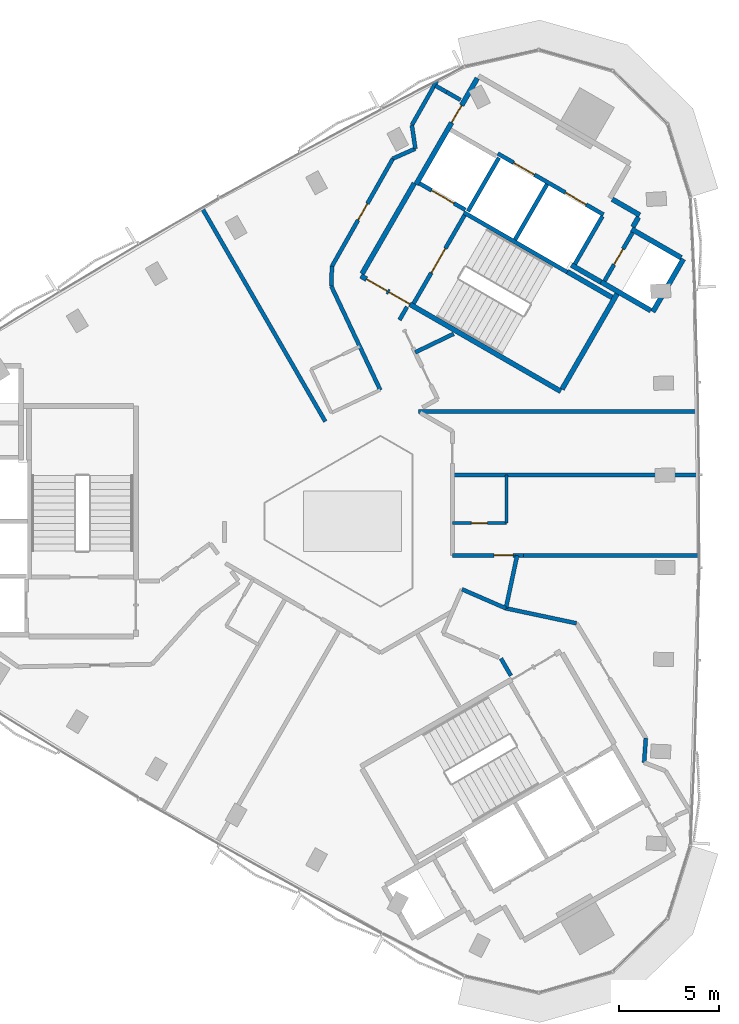
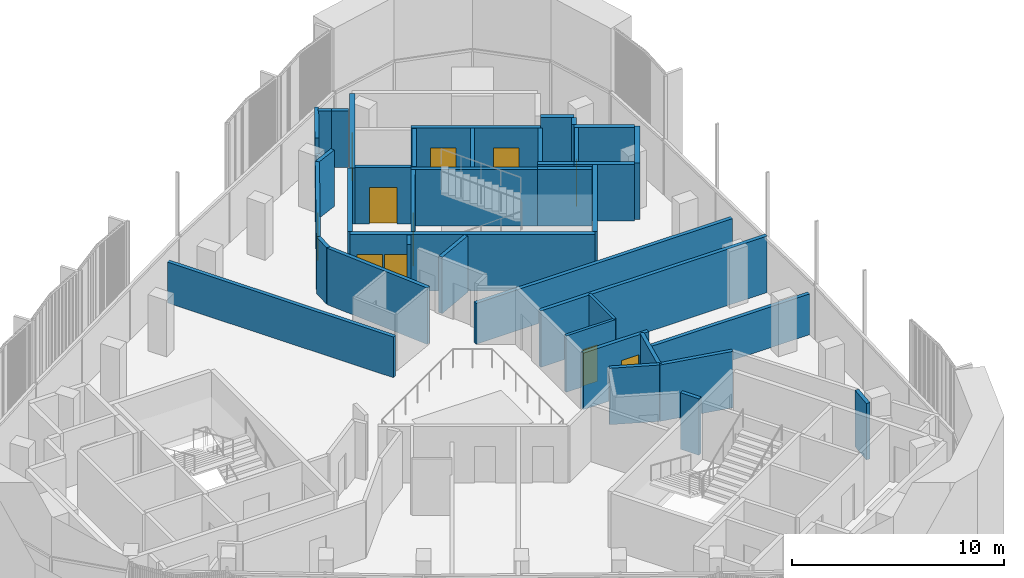
# One storey, part 8 of 12: 41 walls, 11 doors, 11 openings.
"""IFC4 building model written with IfcOpenShell, lengths in metres."""

from ifc_helpers import new_model, si_unit, direction, frame, frame_2d, origin, place, context, subcontext, project, spatial, rectangle, extrude, material, layer, layer_set, type_object, element, fill, save


model = new_model("IFC4")

# Units and contexts
model_context = context("Model", 3, precision=1e-05, world=origin(), true_north=direction((0.0, 1.0)))
body_context = subcontext(model_context, "Body", "Model", "MODEL_VIEW")
ifc_project = project(units=[si_unit("LENGTHUNIT", "METRE"), si_unit("AREAUNIT", "SQUARE_METRE"), si_unit("VOLUMEUNIT", "CUBIC_METRE"), si_unit("PLANEANGLEUNIT", "RADIAN"), si_unit("MASSUNIT", "GRAM", prefix="KILO")], contexts=[model_context])

# Site, building, storey
site_placement = place(None, origin())
site = spatial("IfcSite", under=ifc_project, at=site_placement, CompositionType="ELEMENT")
building_placement = place(site_placement, origin())
building = spatial("IfcBuilding", under=site, at=building_placement, Name="Tamra Quay Hotel Tower", CompositionType="ELEMENT")
storey_placement = place(building_placement, frame((0.0, 0.0, 262.199951171875)))
storey = spatial("IfcBuildingStorey", under=building, at=storey_placement, Name="L66", CompositionType="ELEMENT", Elevation=262.199951171875)

# Wall, openings, doors
ifc_material_1 = material(Name="Concrete M70", Category="concrete")
ifc_layer_1 = layer(ifc_material_1, 0.199951171875)
ifc_layer_set_1 = layer_set([ifc_layer_1], Name="Concrete M70 core wall 200")
wall_type_1 = type_object("IfcWallType", Name="Concrete M70 core wall 200", PredefinedType="SHEAR", material=ifc_layer_set_1)
wall_1_placement = place(storey_placement, frame((12.552490234375, 15.341552734375, 0.0), z_axis=(0.0, 0.0, 1.0), x_axis=(-0.866030299012, 0.499991521122, 0.0)))
wall_1 = element("IfcWall", 1, at=wall_1_placement, inside=storey, type_object=wall_type_1, Name="CW2", PredefinedType="SHEAR", context=body_context, shape_type="SweptSolid", body=[
    extrude(rectangle(XDim=6.10009765625, YDim=0.199951171875, at=frame_2d((3.050048828125, 0.0))), origin(), (0.0, 0.0, 1.0), 3.25),
])
opening_1_placement = place(wall_1_placement, frame((1.0, 0.0, 0.0)))
opening_1 = element("IfcOpeningElement", 2, at=opening_1_placement, cuts=wall_1, Name="Opening LD", PredefinedType="OPENING", context=body_context, shape_type="SweptSolid", body=[
    extrude(rectangle(XDim=1.199951171875, YDim=2.10009765625, at=frame_2d((0.60009765625, 1.050048828125))), frame((0.0, 0.10986328125, 0.0), z_axis=(0.0, -1.0, 0.0), x_axis=(1.0, 0.0, 0.0)), (0.0, 0.0, 1.0), 0.219970703125),
])
opening_2_placement = place(wall_1_placement, frame((3.982177734375, 0.0, 0.0)))
opening_2 = element("IfcOpeningElement", 3, at=opening_2_placement, cuts=wall_1, Name="Opening LD", PredefinedType="OPENING", context=body_context, shape_type="SweptSolid", body=[
    extrude(rectangle(XDim=1.199951171875, YDim=2.10009765625, at=frame_2d((0.60009765625, 1.050048828125))), frame((0.0, 0.10986328125, 0.0), z_axis=(0.0, -1.0, 0.0), x_axis=(1.0, 0.0, 0.0)), (0.0, 0.0, 1.0), 0.219970703125),
])
ifc_material_2 = material(Name="Landing door LD 1200 double door sliding")
door_type_1 = type_object("IfcDoorType", Name="Landing door LD 1200 double door sliding", OperationType="DOUBLE_DOOR_SLIDING", PredefinedType="DOOR", material=ifc_material_2)
door_1_placement = place(opening_1_placement, origin())
door_1 = element("IfcDoor", 4, at=door_1_placement, inside=storey, type_object=door_type_1, Name="LD", OperationType="DOUBLE_DOOR_SLIDING", OverallHeight=2.10009765625, OverallWidth=1.199951171875, PredefinedType="DOOR", context=body_context, shape_type="SweptSolid", body=[
    extrude(rectangle(XDim=1.199951171875, YDim=2.10009765625, at=frame_2d((0.60009765625, 1.050048828125))), frame((0.0, 0.02490234375, 0.0), z_axis=(0.0, -1.0, 0.0), x_axis=(1.0, 0.0, 0.0)), (0.0, 0.0, 1.0), 0.050048828125),
])
fill(opening_1, door_1)
door_2_placement = place(opening_2_placement, origin())
door_2 = element("IfcDoor", 5, at=door_2_placement, inside=storey, type_object=door_type_1, Name="LD", OperationType="DOUBLE_DOOR_SLIDING", OverallHeight=2.10009765625, OverallWidth=1.199951171875, PredefinedType="DOOR", context=body_context, shape_type="SweptSolid", body=[
    extrude(rectangle(XDim=1.199951171875, YDim=2.10009765625, at=frame_2d((0.60009765625, 1.050048828125))), frame((0.0, 0.02490234375, 0.0), z_axis=(0.0, -1.0, 0.0), x_axis=(1.0, 0.0, 0.0)), (0.0, 0.0, 1.0), 0.050048828125),
])
fill(opening_2, door_2)

# Wall
wall_2_placement = place(storey_placement, frame((10.7431640625, 12.4599609375, 0.0), z_axis=(0.0, 0.0, 1.0), x_axis=(-0.866018848283, 0.500011354289, 0.0)))
element("IfcWall", 6, at=wall_2_placement, inside=storey, type_object=wall_type_1, Name="CW2", PredefinedType="SHEAR", context=body_context, shape_type="SweptSolid", body=[
    extrude(rectangle(XDim=5.973876953125, YDim=0.199951171875, at=frame_2d((2.98681640625, 0.0))), origin(), (0.0, 0.0, 1.0), 3.25),
])

# Wall, opening, door
wall_3_placement = place(storey_placement, frame((3.056640625, 10.89453125, 0.0), z_axis=(0.0, 0.0, 1.0), x_axis=(0.500027839223, 0.866009330205, 0.0)))
wall_3 = element("IfcWall", 7, at=wall_3_placement, inside=storey, type_object=wall_type_1, Name="CW2", PredefinedType="SHEAR", context=body_context, shape_type="SweptSolid", body=[
    extrude(rectangle(XDim=5.097900390625, YDim=0.199951171875, at=frame_2d((2.548828125, 0.0))), origin(), (0.0, 0.0, 1.0), 3.25),
])
opening_3_placement = place(wall_3_placement, frame((1.77392578125, 0.0, 0.0)))
opening_3 = element("IfcOpeningElement", 8, at=opening_3_placement, cuts=wall_3, Name="Opening FD2", PredefinedType="OPENING", context=body_context, shape_type="SweptSolid", body=[
    extrude(rectangle(XDim=1.39990234375, YDim=2.10009765625, at=frame_2d((0.699951171875, 1.050048828125))), frame((0.0, 0.10986328125, 0.0), z_axis=(0.0, -1.0, 0.0), x_axis=(1.0, 0.0, 0.0)), (0.0, 0.0, 1.0), 0.219970703125),
])
ifc_material_3 = material(Name="Core door FD2 1400x2100 LH")
door_type_2 = type_object("IfcDoorType", Name="Core door FD2 1400x2100 LH", OperationType="NOTDEFINED", PredefinedType="DOOR", material=ifc_material_3)
door_3_placement = place(opening_3_placement, origin())
door_3 = element("IfcDoor", 9, at=door_3_placement, inside=storey, type_object=door_type_2, Name="FD2", OperationType="SINGLE_SWING_LEFT", OverallHeight=2.10009765625, OverallWidth=1.39990234375, PredefinedType="DOOR", context=body_context, shape_type="SweptSolid", body=[
    extrude(rectangle(XDim=1.39990234375, YDim=2.10009765625, at=frame_2d((0.699951171875, 1.050048828125))), frame((0.0, 0.02490234375, 0.0), z_axis=(0.0, -1.0, 0.0), x_axis=(1.0, 0.0, 0.0)), (0.0, 0.0, 1.0), 0.050048828125),
])
fill(opening_3, door_3)

# Wall
wall_4_placement = place(storey_placement, frame((8.131591796875, 14.08447265625, 0.0), z_axis=(0.0, 0.0, 1.0), x_axis=(0.500030834389, 0.86600760081, 0.0)))
element("IfcWall", 10, at=wall_4_placement, inside=storey, type_object=wall_type_1, Name="CW2", PredefinedType="SHEAR", context=body_context, shape_type="SweptSolid", body=[
    extrude(rectangle(XDim=3.197998046875, YDim=0.199951171875, at=frame_2d((1.59912109375, 0.0))), origin(), (0.0, 0.0, 1.0), 3.25),
])

# Wall, opening, door
wall_5_placement = place(storey_placement, frame((14.0078125, 14.442138671875, 0.0), z_axis=(0.0, 0.0, 1.0), x_axis=(-0.499986818241, -0.866033014143, 0.0)))
wall_5 = element("IfcWall", 11, at=wall_5_placement, inside=storey, type_object=wall_type_1, Name="CW2", PredefinedType="SHEAR", context=body_context, shape_type="SweptSolid", body=[
    extrude(rectangle(XDim=2.7978515625, YDim=0.199951171875, at=frame_2d((1.39892578125, 0.0))), origin(), (0.0, 0.0, 1.0), 3.25),
])
opening_4_placement = place(wall_5_placement, frame((0.948974609375, 0.0, 0.0)))
opening_4 = element("IfcOpeningElement", 12, at=opening_4_placement, cuts=wall_5, Name="Opening D1", PredefinedType="OPENING", context=body_context, shape_type="SweptSolid", body=[
    extrude(rectangle(XDim=0.89990234375, YDim=2.10009765625, at=frame_2d((0.449951171875, 1.050048828125))), frame((0.0, 0.10986328125, 0.0), z_axis=(0.0, -1.0, 0.0), x_axis=(1.0, 0.0, 0.0)), (0.0, 0.0, 1.0), 0.219970703125),
])
ifc_material_4 = material(Name="Core door D1 900x2100 RH")
door_type_3 = type_object("IfcDoorType", Name="Core door D1 900x2100 RH", OperationType="NOTDEFINED", PredefinedType="DOOR", material=ifc_material_4)
door_4_placement = place(opening_4_placement, origin())
door_4 = element("IfcDoor", 13, at=door_4_placement, inside=storey, type_object=door_type_3, Name="D1", OperationType="SINGLE_SWING_RIGHT", OverallHeight=2.10009765625, OverallWidth=0.89990234375, PredefinedType="DOOR", context=body_context, shape_type="SweptSolid", body=[
    extrude(rectangle(XDim=0.89990234375, YDim=2.10009765625, at=frame_2d((0.449951171875, 1.050048828125))), frame((0.0, 0.02490234375, 0.0), z_axis=(0.0, -1.0, 0.0), x_axis=(1.0, 0.0, 0.0)), (0.0, 0.0, 1.0), 0.050048828125),
])
fill(opening_4, door_4)

# Walls
wall_6_placement = place(storey_placement, frame((12.50244140625, 15.2548828125, 0.0), z_axis=(0.0, 0.0, 1.0), x_axis=(-0.499965018551, -0.866045599391, 0.0)))
element("IfcWall", 14, at=wall_6_placement, inside=storey, type_object=wall_type_1, Name="CW2", PredefinedType="SHEAR", context=body_context, shape_type="SweptSolid", body=[
    extrude(rectangle(XDim=2.759033203125, YDim=0.199951171875, at=frame_2d((1.37939453125, 0.0))), origin(), (0.0, 0.0, 1.0), 3.25),
])
wall_7_placement = place(storey_placement, frame((7.324462890625, 18.1865234375, 0.0), z_axis=(0.0, 0.0, 1.0), x_axis=(-0.499967891604, -0.866043940782, 0.0)))
element("IfcWall", 15, at=wall_7_placement, inside=storey, type_object=wall_type_1, Name="CW2", PredefinedType="SHEAR", context=body_context, shape_type="SweptSolid", body=[
    extrude(rectangle(XDim=3.099853515625, YDim=0.199951171875, at=frame_2d((1.5498046875, 0.0))), origin(), (0.0, 0.0, 1.0), 3.25),
])

# Wall, opening, door
wall_8_placement = place(storey_placement, frame((5.646240234375, 15.575927734375, 0.0), z_axis=(0.0, 0.0, 1.0), x_axis=(-0.866018407898, 0.500012117035, 0.0)))
wall_8 = element("IfcWall", 16, at=wall_8_placement, inside=storey, type_object=wall_type_1, Name="CW2", PredefinedType="SHEAR", context=body_context, shape_type="SweptSolid", body=[
    extrude(rectangle(XDim=2.65087890625, YDim=0.199951171875, at=frame_2d((1.325439453125, 0.0))), origin(), (0.0, 0.0, 1.0), 3.25),
])
opening_5_placement = place(wall_8_placement, frame((0.65185546875, 0.0, 0.0)))
opening_5 = element("IfcOpeningElement", 17, at=opening_5_placement, cuts=wall_8, Name="Opening LD", PredefinedType="OPENING", context=body_context, shape_type="SweptSolid", body=[
    extrude(rectangle(XDim=1.300048828125, YDim=2.10009765625, at=frame_2d((0.64990234375, 1.050048828125))), frame((0.0, 0.10986328125, 0.0), z_axis=(0.0, -1.0, 0.0), x_axis=(1.0, 0.0, 0.0)), (0.0, 0.0, 1.0), 0.219970703125),
])
ifc_material_5 = material(Name="Landing door LD 1300 sliding to left")
door_type_4 = type_object("IfcDoorType", Name="Landing door LD 1300 sliding to left", OperationType="NOTDEFINED", PredefinedType="DOOR", material=ifc_material_5)
door_5_placement = place(opening_5_placement, origin())
door_5 = element("IfcDoor", 18, at=door_5_placement, inside=storey, type_object=door_type_4, Name="LD", OperationType="SLIDING_TO_LEFT", OverallHeight=2.10009765625, OverallWidth=1.300048828125, PredefinedType="DOOR", context=body_context, shape_type="SweptSolid", body=[
    extrude(rectangle(XDim=1.300048828125, YDim=2.10009765625, at=frame_2d((0.64990234375, 1.050048828125))), frame((0.0, 0.02490234375, 0.0), z_axis=(0.0, -1.0, 0.0), x_axis=(1.0, 0.0, 0.0)), (0.0, 0.0, 1.0), 0.050048828125),
])
fill(opening_5, door_5)

# Wall, openings, doors
ifc_layer_2 = layer(ifc_material_1, 0.25)
ifc_layer_set_2 = layer_set([ifc_layer_2], Name="Concrete M70 core wall 250")
wall_type_2 = type_object("IfcWallType", Name="Concrete M70 core wall 250", PredefinedType="SHEAR", material=ifc_layer_set_2)
wall_9_placement = place(storey_placement, frame((10.419921875, 6.497802734375, 0.0), z_axis=(0.0, 0.0, 1.0), x_axis=(-0.866021906294, 0.500006057782, 0.0)))
wall_9 = element("IfcWall", 19, at=wall_9_placement, inside=storey, type_object=wall_type_2, Name="CW1", PredefinedType="SHEAR", context=body_context, shape_type="SweptSolid", body=[
    extrude(rectangle(XDim=11.550048828125, YDim=0.25, at=frame_2d((5.77490234375, 0.0))), origin(), (0.0, 0.0, 1.0), 3.25),
])
opening_6_placement = place(wall_9_placement, frame((10.02490234375, 0.0, 0.0)))
opening_6 = element("IfcOpeningElement", 20, at=opening_6_placement, cuts=wall_9, Name="Opening FD1", PredefinedType="OPENING", context=body_context, shape_type="SweptSolid", body=[
    extrude(rectangle(XDim=1.199951171875, YDim=2.10009765625, at=frame_2d((0.60009765625, 1.050048828125))), frame((0.0, 0.135009765625, 0.0), z_axis=(0.0, -1.0, 0.0), x_axis=(1.0, 0.0, 0.0)), (0.0, 0.0, 1.0), 0.27001953125),
])
opening_7_placement = place(wall_9_placement, frame((8.724853515625, 0.0, 0.0)))
opening_7 = element("IfcOpeningElement", 21, at=opening_7_placement, cuts=wall_9, Name="Opening FD1", PredefinedType="OPENING", context=body_context, shape_type="SweptSolid", body=[
    extrude(rectangle(XDim=1.199951171875, YDim=2.10009765625, at=frame_2d((0.60009765625, 1.050048828125))), frame((0.0, 0.135009765625, 0.0), z_axis=(0.0, -1.0, 0.0), x_axis=(1.0, 0.0, 0.0)), (0.0, 0.0, 1.0), 0.27001953125),
])
ifc_material_6 = material(Name="Core door FD1 1200x2100 LH")
door_type_5 = type_object("IfcDoorType", Name="Core door FD1 1200x2100 LH", OperationType="NOTDEFINED", PredefinedType="DOOR", material=ifc_material_6)
door_6_placement = place(opening_6_placement, origin())
door_6 = element("IfcDoor", 22, at=door_6_placement, inside=storey, type_object=door_type_5, Name="FD1", OperationType="SINGLE_SWING_LEFT", OverallHeight=2.10009765625, OverallWidth=1.199951171875, PredefinedType="DOOR", context=body_context, shape_type="SweptSolid", body=[
    extrude(rectangle(XDim=1.199951171875, YDim=2.10009765625, at=frame_2d((0.60009765625, 1.050048828125))), frame((0.0, 0.02490234375, 0.0), z_axis=(0.0, -1.0, 0.0), x_axis=(1.0, 0.0, 0.0)), (0.0, 0.0, 1.0), 0.050048828125),
])
fill(opening_6, door_6)
ifc_material_7 = material(Name="Core door FD1 1200x2100 RH")
door_type_6 = type_object("IfcDoorType", Name="Core door FD1 1200x2100 RH", OperationType="NOTDEFINED", PredefinedType="DOOR", material=ifc_material_7)
door_7_placement = place(opening_7_placement, origin())
door_7 = element("IfcDoor", 23, at=door_7_placement, inside=storey, type_object=door_type_6, Name="FD1", OperationType="SINGLE_SWING_RIGHT", OverallHeight=2.10009765625, OverallWidth=1.199951171875, PredefinedType="DOOR", context=body_context, shape_type="SweptSolid", body=[
    extrude(rectangle(XDim=1.199951171875, YDim=2.10009765625, at=frame_2d((0.60009765625, 1.050048828125))), frame((0.0, 0.02490234375, 0.0), z_axis=(0.0, -1.0, 0.0), x_axis=(1.0, 0.0, 0.0)), (0.0, 0.0, 1.0), 0.050048828125),
])
fill(opening_7, door_7)

# Wall, opening, door
wall_10_placement = place(storey_placement, frame((3.178955078125, 16.856201171875, 0.0), z_axis=(0.0, 0.0, 1.0), x_axis=(0.500001955336, 0.866024274868, 0.0)))
wall_10 = element("IfcWall", 24, at=wall_10_placement, inside=storey, type_object=wall_type_2, Name="CW1", PredefinedType="SHEAR", context=body_context, shape_type="SweptSolid", body=[
    extrude(rectangle(XDim=6.12451171875, YDim=0.25, at=frame_2d((3.062255859375, 0.0))), origin(), (0.0, 0.0, 1.0), 3.25),
])
opening_8_placement = place(wall_10_placement, frame((3.562744140625, 0.0, 0.0)))
opening_8 = element("IfcOpeningElement", 25, at=opening_8_placement, cuts=wall_10, Name="Opening FD3", PredefinedType="OPENING", context=body_context, shape_type="SweptSolid", body=[
    extrude(rectangle(XDim=1.0, YDim=2.10009765625, at=frame_2d((0.5, 1.050048828125))), frame((0.0, 0.135009765625, 0.0), z_axis=(0.0, -1.0, 0.0), x_axis=(1.0, 0.0, 0.0)), (0.0, 0.0, 1.0), 0.27001953125),
])
ifc_material_8 = material(Name="Core door FD3 1000x2100 LH")
door_type_7 = type_object("IfcDoorType", Name="Core door FD3 1000x2100 LH", OperationType="NOTDEFINED", PredefinedType="DOOR", material=ifc_material_8)
door_8_placement = place(opening_8_placement, origin())
door_8 = element("IfcDoor", 26, at=door_8_placement, inside=storey, type_object=door_type_7, Name="FD3", OperationType="SINGLE_SWING_LEFT", OverallHeight=2.10009765625, OverallWidth=1.0, PredefinedType="DOOR", context=body_context, shape_type="SweptSolid", body=[
    extrude(rectangle(XDim=1.0, YDim=2.10009765625, at=frame_2d((0.5, 1.050048828125))), frame((0.0, 0.02490234375, 0.0), z_axis=(0.0, -1.0, 0.0), x_axis=(1.0, 0.0, 0.0)), (0.0, 0.0, 1.0), 0.050048828125),
])
fill(opening_8, door_8)

# Walls
wall_11_placement = place(storey_placement, frame((0.47998046875, 12.38134765625, 0.0), z_axis=(0.0, 0.0, 1.0), x_axis=(0.49999885962, 0.866026062182, 0.0)))
element("IfcWall", 27, at=wall_11_placement, inside=storey, type_object=wall_type_2, Name="CW1", PredefinedType="SHEAR", context=body_context, shape_type="SweptSolid", body=[
    extrude(rectangle(XDim=5.224609375, YDim=0.25, at=frame_2d((2.6123046875, 0.0))), origin(), (0.0, 0.0, 1.0), 3.25),
])
wall_12_placement = place(storey_placement, frame((13.237548828125, 11.3779296875, 0.0), z_axis=(0.0, 0.0, 1.0), x_axis=(-0.500008851346, -0.866020293397, 0.0)))
element("IfcWall", 28, at=wall_12_placement, inside=storey, type_object=wall_type_2, Name="CW1", PredefinedType="SHEAR", context=body_context, shape_type="SweptSolid", body=[
    extrude(rectangle(XDim=5.509765625, YDim=0.25, at=frame_2d((2.7548828125, 0.0))), origin(), (0.0, 0.0, 1.0), 3.25),
])
wall_13_placement = place(storey_placement, frame((16.552001953125, 13.118896484375, 0.0), z_axis=(0.0, 0.0, 1.0), x_axis=(-0.499978833458, -0.866037623948, 0.0)))
element("IfcWall", 29, at=wall_13_placement, inside=storey, type_object=wall_type_2, Name="CW1", PredefinedType="SHEAR", context=body_context, shape_type="SweptSolid", body=[
    extrude(rectangle(XDim=3.050048828125, YDim=0.25, at=frame_2d((1.52490234375, 0.0))), origin(), (0.0, 0.0, 1.0), 3.25),
])
wall_14_placement = place(storey_placement, frame((14.91845703125, 10.540283203125, 0.0), z_axis=(0.0, 0.0, 1.0), x_axis=(-0.866063538972, 0.499933942099, 0.0)))
element("IfcWall", 30, at=wall_14_placement, inside=storey, type_object=wall_type_2, Name="CW1", PredefinedType="SHEAR", context=body_context, shape_type="SweptSolid", body=[
    extrude(rectangle(XDim=2.86474609375, YDim=0.25, at=frame_2d((1.432373046875, 0.0))), origin(), (0.0, 0.0, 1.0), 3.25),
])
wall_15_placement = place(storey_placement, frame((13.962646484375, 14.61376953125, 0.0), z_axis=(0.0, 0.0, 1.0), x_axis=(0.866042235819, -0.499970844928, 0.0)))
element("IfcWall", 31, at=wall_15_placement, inside=storey, type_object=wall_type_2, Name="CW1", PredefinedType="SHEAR", context=body_context, shape_type="SweptSolid", body=[
    extrude(rectangle(XDim=2.864501953125, YDim=0.25, at=frame_2d((1.43212890625, 0.0))), origin(), (0.0, 0.0, 1.0), 3.25),
])
wall_16_placement = place(storey_placement, frame((10.756591796875, 12.481201171875, 0.0), z_axis=(0.0, 0.0, 1.0), x_axis=(0.866022940537, -0.500004266446, 0.0)))
element("IfcWall", 32, at=wall_16_placement, inside=storey, type_object=wall_type_2, Name="CW1", PredefinedType="SHEAR", context=body_context, shape_type="SweptSolid", body=[
    extrude(rectangle(XDim=2.57470703125, YDim=0.25, at=frame_2d((1.287353515625, 0.0))), origin(), (0.0, 0.0, 1.0), 3.25),
])
wall_17_placement = place(storey_placement, frame((12.4326171875, 11.9638671875, 0.0), z_axis=(0.0, 0.0, 1.0), x_axis=(-0.866038183914, 0.499977863513, 0.0)))
element("IfcWall", 33, at=wall_17_placement, inside=storey, type_object=wall_type_2, Name="CW1", PredefinedType="SHEAR", context=body_context, shape_type="SweptSolid", body=[
    extrude(rectangle(XDim=1.7099609375, YDim=0.25, at=frame_2d((0.85498046875, 0.0))), origin(), (0.0, 0.0, 1.0), 3.25),
])
wall_18_placement = place(storey_placement, frame((12.995361328125, 16.107666015625, 0.0), z_axis=(0.0, 0.0, 1.0), x_axis=(0.866044474677, -0.49996696679, 0.0)))
element("IfcWall", 34, at=wall_18_placement, inside=storey, type_object=wall_type_2, Name="CW1", PredefinedType="SHEAR", context=body_context, shape_type="SweptSolid", body=[
    extrude(rectangle(XDim=1.58447265625, YDim=0.25, at=frame_2d((0.792236328125, 0.0))), origin(), (0.0, 0.0, 1.0), 3.25),
])
wall_19_placement = place(storey_placement, frame((14.304931640625, 15.206787109375, 0.0), z_axis=(0.0, 0.0, 1.0), x_axis=(-0.499848422343, -0.866112899501, 0.0)))
element("IfcWall", 35, at=wall_19_placement, inside=storey, type_object=wall_type_2, Name="CW1", PredefinedType="SHEAR", context=body_context, shape_type="SweptSolid", body=[
    extrude(rectangle(XDim=0.559326171875, YDim=0.25, at=frame_2d((0.27978515625, 0.0))), origin(), (0.0, 0.0, 1.0), 3.25),
])
ifc_material_9 = material(Name="Partition corridor wall")
ifc_layer_3 = layer(ifc_material_9, 0.199951171875)
ifc_layer_set_3 = layer_set([ifc_layer_3], Name="Partition corridor wall")
wall_type_3 = type_object("IfcWallType", Name="Partition corridor wall", PredefinedType="PARTITIONING", material=ifc_layer_set_3)
wall_20_placement = place(storey_placement, frame((-1.06005859375, 11.760009765625, 0.0), z_axis=(0.0, 0.0, 1.0), x_axis=(0.426549824954, -0.904464066081, 0.0)))
element("IfcWall", 36, at=wall_20_placement, inside=storey, type_object=wall_type_3, Name="W-C", PredefinedType="PARTITIONING", context=body_context, shape_type="SweptSolid", body=[
    extrude(rectangle(XDim=5.74658203125, YDim=0.199951171875, at=frame_2d((2.873291015625, 0.0))), origin(), (0.0, 0.0, 1.0), 3.25),
])
wall_21_placement = place(storey_placement, frame((-1.06005859375, 11.760009765625, 0.0), z_axis=(0.0, 0.0, 1.0), x_axis=(0.032059906789, 0.999485949064, 0.0)))
element("IfcWall", 37, at=wall_21_placement, inside=storey, type_object=wall_type_3, Name="W-C", PredefinedType="PARTITIONING", context=body_context, shape_type="SweptSolid", body=[
    extrude(rectangle(XDim=0.99755859375, YDim=0.199951171875, at=frame_2d((0.498779296875, 0.0))), origin(), (0.0, 0.0, 1.0), 3.25),
])

# Wall, opening, door
wall_22_placement = place(storey_placement, frame((-1.027099609375, 12.757080078125, 0.0), z_axis=(0.0, 0.0, 1.0), x_axis=(0.492663063759, 0.870220147783, 0.0)))
wall_22 = element("IfcWall", 38, at=wall_22_placement, inside=storey, type_object=wall_type_3, Name="W-C", PredefinedType="PARTITIONING", context=body_context, shape_type="SweptSolid", body=[
    extrude(rectangle(XDim=6.18701171875, YDim=0.199951171875, at=frame_2d((3.093505859375, 0.0))), origin(), (0.0, 0.0, 1.0), 3.25),
])
opening_9_placement = place(wall_22_placement, frame((2.64990234375, 0.0, 0.0)))
opening_9 = element("IfcOpeningElement", 39, at=opening_9_placement, cuts=wall_22, Name="Opening L66-D008", PredefinedType="OPENING", context=body_context, shape_type="SweptSolid", body=[
    extrude(rectangle(XDim=0.949951171875, YDim=2.10009765625, at=frame_2d((0.47509765625, 1.050048828125))), frame((0.0, 0.10986328125, 0.0), z_axis=(0.0, -1.0, 0.0), x_axis=(1.0, 0.0, 0.0)), (0.0, 0.0, 1.0), 0.219970703125),
])
ifc_material_10 = material(Name="Door guest room 950x2100")
door_type_8 = type_object("IfcDoorType", Name="Door guest room 950x2100", OperationType="NOTDEFINED", PredefinedType="DOOR", material=ifc_material_10)
door_9_placement = place(opening_9_placement, origin())
door_9 = element("IfcDoor", 40, at=door_9_placement, inside=storey, type_object=door_type_8, Name="L66-D008", OperationType="SINGLE_SWING_LEFT", OverallHeight=2.10009765625, OverallWidth=0.949951171875, PredefinedType="DOOR", context=body_context, shape_type="SweptSolid", body=[
    extrude(rectangle(XDim=0.949951171875, YDim=2.10009765625, at=frame_2d((0.47509765625, 1.050048828125))), frame((0.0, 0.02490234375, 0.0), z_axis=(0.0, -1.0, 0.0), x_axis=(1.0, 0.0, 0.0)), (0.0, 0.0, 1.0), 0.050048828125),
])
fill(opening_9, door_9)

# Walls
wall_23_placement = place(storey_placement, frame((2.02099609375, 18.14111328125, 0.0), z_axis=(0.0, 0.0, 1.0), x_axis=(0.914343087003, 0.404940389748, 0.0)))
element("IfcWall", 41, at=wall_23_placement, inside=storey, type_object=wall_type_3, Name="W-C", PredefinedType="PARTITIONING", context=body_context, shape_type="SweptSolid", body=[
    extrude(rectangle(XDim=1.229248046875, YDim=0.199951171875, at=frame_2d((0.61474609375, 0.0))), origin(), (0.0, 0.0, 1.0), 3.25),
])
wall_24_placement = place(storey_placement, frame((2.35009765625, 10.071044921875, 0.0), z_axis=(0.0, 0.0, 1.0), x_axis=(0.500309905322, 0.865846405916, 0.0)))
element("IfcWall", 42, at=wall_24_placement, inside=storey, type_object=wall_type_3, Name="W-C", PredefinedType="PARTITIONING", context=body_context, shape_type="SweptSolid", body=[
    extrude(rectangle(XDim=0.75537109375, YDim=0.199951171875, at=frame_2d((0.377685546875, 0.0))), origin(), (0.0, 0.0, 1.0), 3.25),
])
wall_25_placement = place(storey_placement, frame((2.969970703125, 19.81689453125, 0.0), z_axis=(0.0, 0.0, 1.0), x_axis=(0.146986994932, -0.989138424752, 0.0)))
element("IfcWall", 43, at=wall_25_placement, inside=storey, type_object=wall_type_3, Name="W-C", PredefinedType="PARTITIONING", context=body_context, shape_type="SweptSolid", body=[
    extrude(rectangle(XDim=1.19091796875, YDim=0.199951171875, at=frame_2d((0.595458984375, 0.0))), origin(), (0.0, 0.0, 1.0), 2.35009765625),
])
wall_26_placement = place(storey_placement, frame((2.969970703125, 19.818115234375, 0.0), z_axis=(0.0, 0.0, 1.0), x_axis=(0.493215654548, 0.86990707441, 0.0)))
element("IfcWall", 44, at=wall_26_placement, inside=storey, type_object=wall_type_3, Name="W-C", PredefinedType="PARTITIONING", context=body_context, shape_type="SweptSolid", body=[
    extrude(rectangle(XDim=2.5478515625, YDim=0.199951171875, at=frame_2d((1.27392578125, 0.0))), origin(), (0.0, 0.0, 1.0), 3.25),
])
wall_27_placement = place(storey_placement, frame((4.154052734375, 21.785888671875, 0.0), z_axis=(0.0, 0.0, 1.0), x_axis=(0.868196374619, -0.496220772539, 0.0)))
element("IfcWall", 45, at=wall_27_placement, inside=storey, type_object=wall_type_3, Name="W-C", PredefinedType="PARTITIONING", context=body_context, shape_type="SweptSolid", body=[
    extrude(rectangle(XDim=0.642578125, YDim=0.199951171875, at=frame_2d((0.3212890625, 0.0))), origin(), (0.0, 0.0, 1.0), 3.25),
])
wall_28_placement = place(storey_placement, frame((4.716064453125, 21.468017578125, 0.0), z_axis=(0.0, 0.0, 1.0), x_axis=(0.865912682783, -0.500195187698, 0.0)))
element("IfcWall", 46, at=wall_28_placement, inside=storey, type_object=wall_type_3, Name="W-C", PredefinedType="PARTITIONING", context=body_context, shape_type="SweptSolid", body=[
    extrude(rectangle(XDim=0.789794921875, YDim=0.199951171875, at=frame_2d((0.39501953125, 0.0))), origin(), (0.0, 0.0, 1.0), 3.25),
])

# Wall, opening, door
wall_29_placement = place(storey_placement, frame((5.0009765625, -1.70703125, 0.0), z_axis=(0.0, 0.0, 1.0), x_axis=(1.0, 0.0, 0.0)))
wall_29 = element("IfcWall", 47, at=wall_29_placement, inside=storey, type_object=wall_type_3, Name="W-C", PredefinedType="PARTITIONING", context=body_context, shape_type="SweptSolid", body=[
    extrude(rectangle(XDim=3.56201171875, YDim=0.199951171875, at=frame_2d((1.781005859375, 0.0))), origin(), (0.0, 0.0, 1.0), 3.25),
])
opening_10_placement = place(wall_29_placement, frame((2.080078125, 0.0, 0.0)))
opening_10 = element("IfcOpeningElement", 48, at=opening_10_placement, cuts=wall_29, Name="Opening L66-D003", PredefinedType="OPENING", context=body_context, shape_type="SweptSolid", body=[
    extrude(rectangle(XDim=0.949951171875, YDim=2.10009765625, at=frame_2d((0.47509765625, 1.050048828125))), frame((0.0, 0.10986328125, 0.0), z_axis=(0.0, -1.0, 0.0), x_axis=(1.0, 0.0, 0.0)), (0.0, 0.0, 1.0), 0.219970703125),
])
door_10_placement = place(opening_10_placement, origin())
door_10 = element("IfcDoor", 49, at=door_10_placement, inside=storey, type_object=door_type_8, Name="L66-D003", OperationType="SINGLE_SWING_LEFT", OverallHeight=2.10009765625, OverallWidth=0.949951171875, PredefinedType="DOOR", context=body_context, shape_type="SweptSolid", body=[
    extrude(rectangle(XDim=0.949951171875, YDim=2.10009765625, at=frame_2d((0.47509765625, 1.050048828125))), frame((0.0, 0.02490234375, 0.0), z_axis=(0.0, -1.0, 0.0), x_axis=(1.0, 0.0, 0.0)), (0.0, 0.0, 1.0), 0.050048828125),
])
fill(opening_10, door_10)

# Walls
wall_30_placement = place(storey_placement, frame((5.47998046875, -3.404052734375, 0.0), z_axis=(0.0, 0.0, 1.0), x_axis=(0.917402729571, -0.39796008817, 0.0)))
element("IfcWall", 50, at=wall_30_placement, inside=storey, type_object=wall_type_3, Name="W-C", PredefinedType="PARTITIONING", context=body_context, shape_type="SweptSolid", body=[
    extrude(rectangle(XDim=2.389404296875, YDim=0.199951171875, at=frame_2d((1.19482421875, 0.0))), origin(), (0.0, 0.0, 1.0), 3.25),
])
wall_31_placement = place(storey_placement, frame((7.427001953125, -6.864013671875, 0.0), z_axis=(0.0, 0.0, 1.0), x_axis=(0.499942098031, -0.866058830921, 0.0)))
element("IfcWall", 51, at=wall_31_placement, inside=storey, type_object=wall_type_3, Name="W-C", PredefinedType="PARTITIONING", context=body_context, shape_type="SweptSolid", body=[
    extrude(rectangle(XDim=0.994140625, YDim=0.199951171875, at=frame_2d((0.4970703125, 0.0))), origin(), (0.0, 0.0, 1.0), 3.25),
])
wall_32_placement = place(storey_placement, frame((7.673095703125, -4.35498046875, 0.0), z_axis=(0.0, 0.0, 1.0), x_axis=(0.978232876952, -0.207510092407, 0.0)))
element("IfcWall", 52, at=wall_32_placement, inside=storey, type_object=wall_type_3, Name="W-C", PredefinedType="PARTITIONING", context=body_context, shape_type="SweptSolid", body=[
    extrude(rectangle(XDim=3.609619140625, YDim=0.199951171875, at=frame_2d((1.8046875, 0.0))), origin(), (0.0, 0.0, 1.0), 3.25),
])
wall_33_placement = place(storey_placement, frame((7.673095703125, -4.35400390625, 0.0), z_axis=(0.0, 0.0, 1.0), x_axis=(0.207939957157, 0.978141592111, 0.0)))
element("IfcWall", 53, at=wall_33_placement, inside=storey, type_object=wall_type_3, Name="W-C", PredefinedType="PARTITIONING", context=body_context, shape_type="SweptSolid", body=[
    extrude(rectangle(XDim=2.69677734375, YDim=0.199951171875, at=frame_2d((1.348388671875, 0.0))), origin(), (0.0, 0.0, 1.0), 3.25),
])
wall_34_placement = place(storey_placement, frame((14.5869140625, -12.071044921875, 0.0), z_axis=(0.0, 0.0, 1.0), x_axis=(0.070466777423, 0.997514126857, 0.0)))
element("IfcWall", 54, at=wall_34_placement, inside=storey, type_object=wall_type_3, Name="W-C", PredefinedType="PARTITIONING", context=body_context, shape_type="SweptSolid", body=[
    extrude(rectangle(XDim=1.222900390625, YDim=0.199951171875, at=frame_2d((0.611328125, 0.0))), origin(), (0.0, 0.0, 1.0), 3.25),
])

# Wall, opening, door
ifc_material_11 = material(Name="Partition en-suite wall")
ifc_layer_4 = layer(ifc_material_11, 0.14990234375)
ifc_layer_set_4 = layer_set([ifc_layer_4], Name="Partition en-suite wall")
wall_type_4 = type_object("IfcWallType", Name="Partition en-suite wall", PredefinedType="PARTITIONING", material=ifc_layer_set_4)
wall_35_placement = place(storey_placement, frame((5.0, -0.095947265625, 0.0), z_axis=(0.0, 0.0, 1.0), x_axis=(1.0, 0.0, 0.0)))
wall_35 = element("IfcWall", 55, at=wall_35_placement, inside=storey, type_object=wall_type_4, Name="W-E", PredefinedType="PARTITIONING", context=body_context, shape_type="SweptSolid", body=[
    extrude(rectangle(XDim=2.699951171875, YDim=0.14990234375, at=frame_2d((1.35009765625, 0.0))), origin(), (0.0, 0.0, 1.0), 3.25),
])
opening_11_placement = place(wall_35_placement, frame((0.949951171875, 0.0, 0.0)))
opening_11 = element("IfcOpeningElement", 56, at=opening_11_placement, cuts=wall_35, Name="Opening L66-D004", PredefinedType="OPENING", context=body_context, shape_type="SweptSolid", body=[
    extrude(rectangle(XDim=0.800048828125, YDim=2.10009765625, at=frame_2d((0.39990234375, 1.050048828125))), frame((0.0, 0.0849609375, 0.0), z_axis=(0.0, -1.0, 0.0), x_axis=(1.0, 0.0, 0.0)), (0.0, 0.0, 1.0), 0.169921875),
])
ifc_material_12 = material(Name="Door en-suite 800x2100")
door_type_9 = type_object("IfcDoorType", Name="Door en-suite 800x2100", OperationType="NOTDEFINED", PredefinedType="DOOR", material=ifc_material_12)
door_11_placement = place(opening_11_placement, origin())
door_11 = element("IfcDoor", 57, at=door_11_placement, inside=storey, type_object=door_type_9, Name="L66-D004", OperationType="SINGLE_SWING_LEFT", OverallHeight=2.10009765625, OverallWidth=0.800048828125, PredefinedType="DOOR", context=body_context, shape_type="SweptSolid", body=[
    extrude(rectangle(XDim=0.800048828125, YDim=2.10009765625, at=frame_2d((0.39990234375, 1.050048828125))), frame((0.0, 0.02490234375, 0.0), z_axis=(0.0, -1.0, 0.0), x_axis=(1.0, 0.0, 0.0)), (0.0, 0.0, 1.0), 0.050048828125),
])
fill(opening_11, door_11)

# Walls
wall_36_placement = place(storey_placement, frame((7.699951171875, -0.095947265625, 0.0), z_axis=(0.0, 0.0, 1.0), x_axis=(0.0, 1.0, 0.0)))
element("IfcWall", 58, at=wall_36_placement, inside=storey, type_object=wall_type_4, Name="W-E", PredefinedType="PARTITIONING", context=body_context, shape_type="SweptSolid", body=[
    extrude(rectangle(XDim=2.39990234375, YDim=0.14990234375, at=frame_2d((1.199951171875, 0.0))), origin(), (0.0, 0.0, 1.0), 3.25),
])
ifc_material_13 = material(Name="Partition party wall")
ifc_layer_5 = layer(ifc_material_13, 0.199951171875)
ifc_layer_set_5 = layer_set([ifc_layer_5], Name="Partition party wall")
wall_type_5 = type_object("IfcWallType", Name="Partition party wall", PredefinedType="PARTITIONING", material=ifc_layer_set_5)
wall_37_placement = place(storey_placement, frame((-7.5244140625, 15.665771484375, 0.0), z_axis=(0.0, 0.0, 1.0), x_axis=(0.499979611936, -0.866037174519, 0.0)))
element("IfcWall", 59, at=wall_37_placement, inside=storey, type_object=wall_type_5, Name="W-P", PredefinedType="PARTITIONING", context=body_context, shape_type="SweptSolid", body=[
    extrude(rectangle(XDim=12.3271484375, YDim=0.199951171875, at=frame_2d((6.16357421875, 0.0))), origin(), (0.0, 0.0, 1.0), 2.35009765625),
])
wall_38_placement = place(storey_placement, frame((3.133056640625, 8.447021484375, 0.0), z_axis=(0.0, 0.0, 1.0), x_axis=(0.900981876458, 0.433856725538, 0.0)))
element("IfcWall", 60, at=wall_38_placement, inside=storey, type_object=wall_type_5, Name="W-P", PredefinedType="PARTITIONING", context=body_context, shape_type="SweptSolid", body=[
    extrude(rectangle(XDim=2.142822265625, YDim=0.199951171875, at=frame_2d((1.0712890625, 0.0))), origin(), (0.0, 0.0, 1.0), 3.25),
])
wall_39_placement = place(storey_placement, frame((3.30810546875, 5.47998046875, 0.0), z_axis=(0.0, 0.0, 1.0), x_axis=(1.0, 0.0, 0.0)))
element("IfcWall", 61, at=wall_39_placement, inside=storey, type_object=wall_type_5, Name="W-P", PredefinedType="PARTITIONING", context=body_context, shape_type="SweptSolid", body=[
    extrude(rectangle(XDim=13.971435546875, YDim=0.199951171875, at=frame_2d((6.98583984375, 0.0))), origin(), (0.0, 0.0, 1.0), 2.35009765625),
])
wall_40_placement = place(storey_placement, frame((5.0, 2.303955078125, 0.0), z_axis=(0.0, 0.0, 1.0), x_axis=(1.0, 0.0, 0.0)))
element("IfcWall", 62, at=wall_40_placement, inside=storey, type_object=wall_type_5, Name="W-P", PredefinedType="PARTITIONING", context=body_context, shape_type="SweptSolid", body=[
    extrude(rectangle(XDim=12.3291015625, YDim=0.199951171875, at=frame_2d((6.16455078125, 0.0))), origin(), (0.0, 0.0, 1.0), 3.25),
])
wall_41_placement = place(storey_placement, frame((8.56396484375, -1.70703125, 0.0), z_axis=(0.0, 0.0, 1.0), x_axis=(1.0, 0.0, 0.0)))
element("IfcWall", 63, at=wall_41_placement, inside=storey, type_object=wall_type_5, Name="W-P", PredefinedType="PARTITIONING", context=body_context, shape_type="SweptSolid", body=[
    extrude(rectangle(XDim=8.76513671875, YDim=0.199951171875, at=frame_2d((4.382568359375, 0.0))), origin(), (0.0, 0.0, 1.0), 2.35009765625),
])

save(model, "model.ifc")
